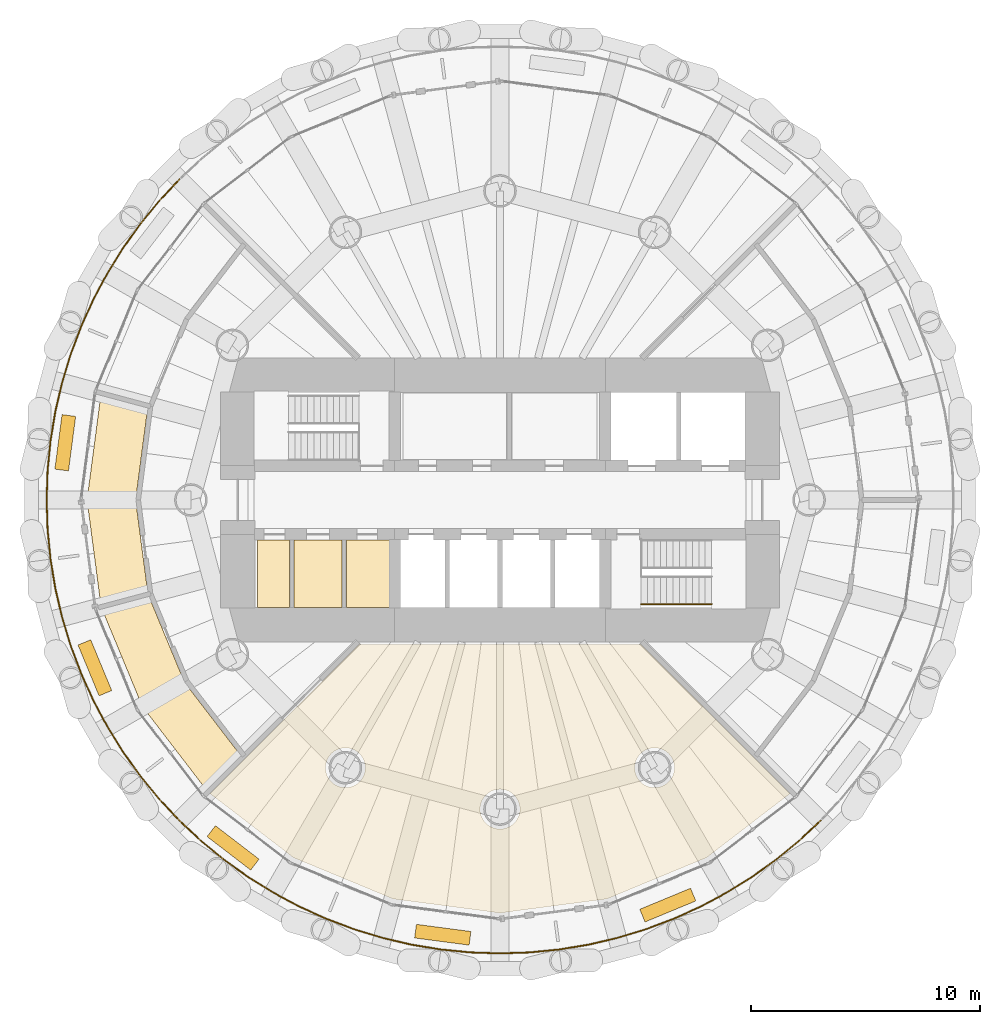
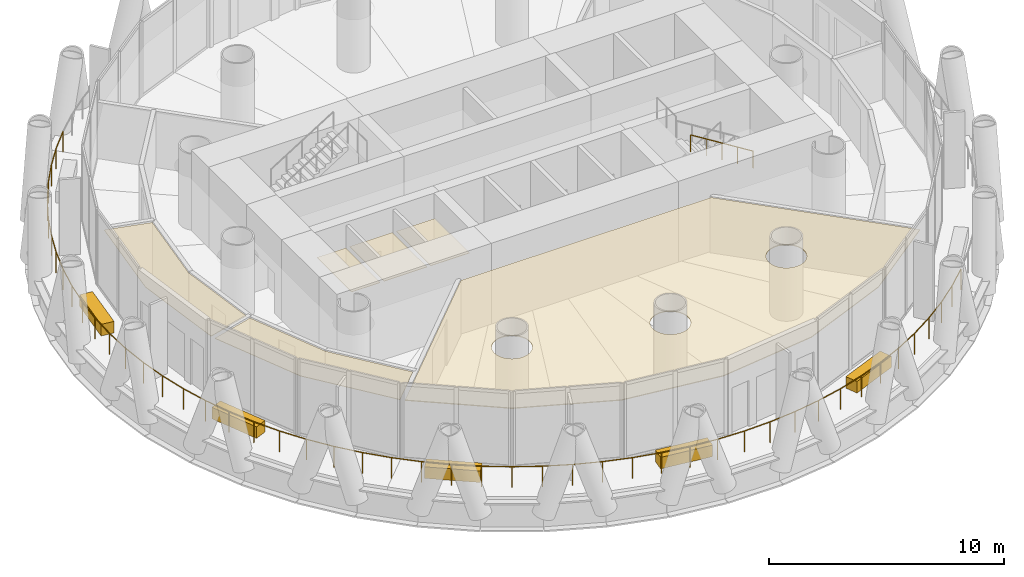
# One storey, part 11 of 13: 11 coverings, 3 railings.
"""IFC4 building model written with IfcOpenShell, lengths in metres."""

from ifc_helpers import new_model, si_unit, direction, frame, origin, origin_2d, place, context, subcontext, project, spatial, polyline, rectangle, circle, outline, extrude, material, layer, layer_set, type_object, element, save


model = new_model("IFC4")

# Units and contexts
model_context = context("Model", 3, precision=1e-05, world=origin(), true_north=direction((0.0, 1.0)))
body_context = subcontext(model_context, "Body", "Model", "MODEL_VIEW")
ifc_project = project(units=[si_unit("LENGTHUNIT", "METRE"), si_unit("AREAUNIT", "SQUARE_METRE"), si_unit("VOLUMEUNIT", "CUBIC_METRE"), si_unit("PLANEANGLEUNIT", "RADIAN"), si_unit("MASSUNIT", "GRAM", prefix="KILO")], contexts=[model_context])

# Site, building, storey
site_placement = place(None, origin())
site = spatial("IfcSite", under=ifc_project, at=site_placement, CompositionType="ELEMENT")
building_placement = place(site_placement, origin())
building = spatial("IfcBuilding", under=site, at=building_placement, Name="Qaws Media Tower", CompositionType="ELEMENT")
storey_placement = place(building_placement, frame((0.0, 0.0, 282.199951171875)))
storey = spatial("IfcBuildingStorey", under=building, at=storey_placement, Name="L65", CompositionType="ELEMENT", Elevation=282.199951171875)

# Covering
ifc_material_1 = material(Name="40 perforated acoustic panels with mineral wool backing, suspended", Category="mineral fibre")
ifc_layer_1 = layer(ifc_material_1, 0.0400390625)
ifc_layer_set_1 = layer_set([ifc_layer_1], Name="Acoustic panel ceiling 40")
covering_type_1 = type_object("IfcCoveringType", Name="Acoustic panel ceiling 40", PredefinedType="CEILING", material=ifc_layer_set_1)
covering_1_placement = place(storey_placement, frame((0.0, 0.0, 2.85009765625)))
element("IfcCovering", 1, at=covering_1_placement, inside=storey, type_object=covering_type_1, Name="CL3 ceiling L65-07 Private dining room", PredefinedType="CEILING", context=body_context, shape_type="SweptSolid", body=[
    extrude(outline(polyline([(69.017578125, 34.381103515625), (64.66796875, 32.579345703125), (60.0, 31.96484375), (55.33203125, 32.579345703125), (50.982421875, 34.381103515625), (47.337158203125, 37.177978515625), (53.8466796875, 43.6875), (66.1533203125, 43.6875), (72.662841796875, 37.177978515625), (69.017578125, 34.381103515625)]), holes=[polyline([(54.09130859375, 38.083251953125), (54.113525390625, 38.195068359375), (54.12109375, 38.30859375), (54.113525390625, 38.42236328125), (54.09130859375, 38.5341796875), (54.0546875, 38.64208984375), (54.00439453125, 38.744140625), (53.94091796875, 38.8388671875), (53.865966796875, 38.924560546875), (53.7802734375, 38.999755859375), (53.685546875, 39.06298828125), (53.583251953125, 39.11328125), (53.475341796875, 39.14990234375), (53.36376953125, 39.172119140625), (53.25, 39.1796875), (53.13623046875, 39.172119140625), (53.024658203125, 39.14990234375), (52.916748046875, 39.11328125), (52.814453125, 39.06298828125), (52.7197265625, 38.999755859375), (52.634033203125, 38.924560546875), (52.55908203125, 38.8388671875), (52.49560546875, 38.744140625), (52.4453125, 38.64208984375), (52.40869140625, 38.5341796875), (52.386474609375, 38.42236328125), (52.37890625, 38.30859375), (52.386474609375, 38.195068359375), (52.40869140625, 38.083251953125), (52.4453125, 37.975341796875), (52.49560546875, 37.873291015625), (52.55908203125, 37.7783203125), (52.634033203125, 37.69287109375), (52.7197265625, 37.61767578125), (52.814453125, 37.55419921875), (52.916748046875, 37.50390625), (53.024658203125, 37.46728515625), (53.13623046875, 37.445068359375), (53.25, 37.437744140625), (53.36376953125, 37.445068359375), (53.475341796875, 37.46728515625), (53.583251953125, 37.50390625), (53.685546875, 37.55419921875), (53.7802734375, 37.61767578125), (53.865966796875, 37.69287109375), (53.94091796875, 37.7783203125), (54.00439453125, 37.873291015625), (54.0546875, 37.975341796875), (54.09130859375, 38.083251953125)]), polyline([(60.84130859375, 36.274658203125), (60.863525390625, 36.38623046875), (60.87109375, 36.5), (60.863525390625, 36.61376953125), (60.84130859375, 36.725341796875), (60.8046875, 36.833251953125), (60.75439453125, 36.935546875), (60.69091796875, 37.0302734375), (60.615966796875, 37.115966796875), (60.5302734375, 37.19091796875), (60.435546875, 37.25439453125), (60.333251953125, 37.3046875), (60.225341796875, 37.34130859375), (60.11376953125, 37.363525390625), (60.0, 37.37109375), (59.88623046875, 37.363525390625), (59.774658203125, 37.34130859375), (59.666748046875, 37.3046875), (59.564453125, 37.25439453125), (59.4697265625, 37.19091796875), (59.384033203125, 37.115966796875), (59.30908203125, 37.0302734375), (59.24560546875, 36.935546875), (59.1953125, 36.833251953125), (59.15869140625, 36.725341796875), (59.136474609375, 36.61376953125), (59.12890625, 36.5), (59.136474609375, 36.38623046875), (59.15869140625, 36.274658203125), (59.1953125, 36.166748046875), (59.24560546875, 36.064453125), (59.30908203125, 35.9697265625), (59.384033203125, 35.884033203125), (59.4697265625, 35.80908203125), (59.564453125, 35.74560546875), (59.666748046875, 35.6953125), (59.774658203125, 35.65869140625), (59.88623046875, 35.636474609375), (60.0, 35.62890625), (60.11376953125, 35.636474609375), (60.225341796875, 35.65869140625), (60.333251953125, 35.6953125), (60.435546875, 35.74560546875), (60.5302734375, 35.80908203125), (60.615966796875, 35.884033203125), (60.69091796875, 35.9697265625), (60.75439453125, 36.064453125), (60.8046875, 36.166748046875), (60.84130859375, 36.274658203125)]), polyline([(67.5546875, 37.975341796875), (67.59130859375, 38.083251953125), (67.613525390625, 38.195068359375), (67.62109375, 38.30859375), (67.613525390625, 38.42236328125), (67.59130859375, 38.5341796875), (67.5546875, 38.64208984375), (67.50439453125, 38.744140625), (67.44091796875, 38.8388671875), (67.365966796875, 38.924560546875), (67.2802734375, 38.999755859375), (67.185546875, 39.06298828125), (67.083251953125, 39.11328125), (66.975341796875, 39.14990234375), (66.86376953125, 39.172119140625), (66.75, 39.1796875), (66.63623046875, 39.172119140625), (66.524658203125, 39.14990234375), (66.416748046875, 39.11328125), (66.314453125, 39.06298828125), (66.2197265625, 38.999755859375), (66.134033203125, 38.924560546875), (66.05908203125, 38.8388671875), (65.99560546875, 38.744140625), (65.9453125, 38.64208984375), (65.90869140625, 38.5341796875), (65.886474609375, 38.42236328125), (65.87890625, 38.30859375), (65.886474609375, 38.195068359375), (65.90869140625, 38.083251953125), (65.9453125, 37.975341796875), (65.99560546875, 37.873291015625), (66.05908203125, 37.7783203125), (66.134033203125, 37.69287109375), (66.2197265625, 37.61767578125), (66.314453125, 37.55419921875), (66.416748046875, 37.50390625), (66.524658203125, 37.46728515625), (66.63623046875, 37.445068359375), (66.75, 37.437744140625), (66.86376953125, 37.445068359375), (66.975341796875, 37.46728515625), (67.083251953125, 37.50390625), (67.185546875, 37.55419921875), (67.2802734375, 37.61767578125), (67.365966796875, 37.69287109375), (67.44091796875, 37.7783203125), (67.50439453125, 37.873291015625), (67.5546875, 37.975341796875)])]), origin(), (0.0, 0.0, 1.0), 0.0400390625),
])

# Railings
ifc_material_2 = material(Name="Stainless steel and glass guard", Category="steel")
railing_type_1 = type_object("IfcRailingType", Name="Balcony guard 1100", PredefinedType="GUARDRAIL", material=ifc_material_2)
railing_1_placement = place(storey_placement, frame((45.999267578125, 64.000732421875, 0.0)))
element("IfcRailing", 2, at=railing_1_placement, inside=storey, type_object=railing_type_1, Name="GR1 balcony guard L65-2", PredefinedType="GUARDRAIL", context=body_context, shape_type="SweptSolid", body=[
    extrude(circle(Radius=0.02392578125, at=origin_2d()), frame((0.0, 0.0, 1.076171875), z_axis=(-0.683552460166, -0.729901386627, 0.0), x_axis=(0.729901386627, -0.683552460166, 0.0)), (0.0, 0.0, 1.0), 1.2958984375),
    extrude(circle(Radius=0.02392578125, at=origin_2d()), frame((-0.8857421875, -0.94580078125, 1.076171875), z_axis=(-0.634458093328, -0.77295726131, 0.0), x_axis=(0.77295726131, -0.634458093328, 0.0)), (0.0, 0.0, 1.0), 1.295654296875),
    extrude(circle(Radius=0.02392578125, at=origin_2d()), frame((-1.707763671875, -1.947265625, 1.076171875), z_axis=(-0.582431795623, -0.812879574997, 0.0), x_axis=(0.812879574997, -0.582431795623, 0.0)), (0.0, 0.0, 1.0), 1.295654296875),
    extrude(circle(Radius=0.02392578125, at=origin_2d()), frame((-2.46240234375, -3.00048828125, 1.076171875), z_axis=(-0.527981873191, -0.849255639711, 0.0), x_axis=(0.849255639711, -0.527981873191, 0.0)), (0.0, 0.0, 1.0), 1.295654296875),
    extrude(circle(Radius=0.02392578125, at=origin_2d()), frame((-3.146484375, -4.100830078125, 1.076171875), z_axis=(-0.471468241052, -0.881883040816, 0.0), x_axis=(0.881883040816, -0.471468241052, 0.0)), (0.0, 0.0, 1.0), 1.295654296875),
    extrude(circle(Radius=0.02392578125, at=origin_2d()), frame((-3.75732421875, -5.243408203125, 1.076171875), z_axis=(-0.412666865584, -0.910882022025, 0.0), x_axis=(0.910882022025, -0.412666865584, 0.0)), (0.0, 0.0, 1.0), 1.295654296875),
    extrude(circle(Radius=0.02392578125, at=origin_2d()), frame((-4.2919921875, -6.423583984375, 1.076171875), z_axis=(-0.352341407841, -0.935871536227, 0.0), x_axis=(0.935871536227, -0.352341407841, 0.0)), (0.0, 0.0, 1.0), 1.295654296875),
    extrude(circle(Radius=0.02392578125, at=origin_2d()), frame((-4.74853515625, -7.63623046875, 1.076171875), z_axis=(-0.29016427463, -0.956976851198, 0.0), x_axis=(0.956976851198, -0.29016427463, 0.0)), (0.0, 0.0, 1.0), 1.295654296875),
    extrude(circle(Radius=0.02392578125, at=origin_2d()), frame((-5.12451171875, -8.876220703125, 1.076171875), z_axis=(-0.227074727453, -0.973877337324, 0.0), x_axis=(0.973877337324, -0.227074727453, 0.0)), (0.0, 0.0, 1.0), 1.295654296875),
    extrude(circle(Radius=0.02392578125, at=origin_2d()), frame((-5.418701171875, -10.137939453125, 1.076171875), z_axis=(-0.162993223464, -0.986627188509, 0.0), x_axis=(0.986627188509, -0.162993223464, 0.0)), (0.0, 0.0, 1.0), 1.295654296875),
    extrude(circle(Radius=0.02392578125, at=origin_2d()), frame((-5.6298828125, -11.416259765625, 1.076171875), z_axis=(-0.097973924779, -0.995188982085, 0.0), x_axis=(0.995188982085, -0.097973924779, 0.0)), (0.0, 0.0, 1.0), 1.2958984375),
    extrude(circle(Radius=0.02392578125, at=origin_2d()), frame((-5.7568359375, -12.705810546875, 1.076171875), z_axis=(-0.03278779156, -0.999462335821, 0.0), x_axis=(0.999462335821, -0.03278779156, 0.0)), (0.0, 0.0, 1.0), 1.295654296875),
    extrude(circle(Radius=0.02392578125, at=origin_2d()), frame((-5.79931640625, -14.000732421875, 1.076171875), z_axis=(0.03278779156, -0.999462335821, 0.0), x_axis=(0.999462335821, 0.03278779156, 0.0)), (0.0, 0.0, 1.0), 1.295654296875),
    extrude(circle(Radius=0.02392578125, at=origin_2d()), frame((-5.7568359375, -15.295654296875, 1.076171875), z_axis=(0.097973924779, -0.995188982085, 0.0), x_axis=(0.995188982085, 0.097973924779, 0.0)), (0.0, 0.0, 1.0), 1.2958984375),
    extrude(circle(Radius=0.02392578125, at=origin_2d()), frame((-5.6298828125, -16.585205078125, 1.076171875), z_axis=(0.162993223464, -0.986627188509, 0.0), x_axis=(0.986627188509, 0.162993223464, 0.0)), (0.0, 0.0, 1.0), 1.295654296875),
    extrude(circle(Radius=0.02392578125, at=origin_2d()), frame((-5.418701171875, -17.863525390625, 1.076171875), z_axis=(0.227074727453, -0.973877337324, 0.0), x_axis=(0.973877337324, 0.227074727453, 0.0)), (0.0, 0.0, 1.0), 1.295654296875),
    extrude(circle(Radius=0.02392578125, at=origin_2d()), frame((-5.12451171875, -19.125244140625, 1.076171875), z_axis=(0.29016427463, -0.956976851198, 0.0), x_axis=(0.956976851198, 0.29016427463, 0.0)), (0.0, 0.0, 1.0), 1.295654296875),
    extrude(circle(Radius=0.02392578125, at=origin_2d()), frame((-4.74853515625, -20.365234375, 1.076171875), z_axis=(0.352341407841, -0.935871536227, 0.0), x_axis=(0.935871536227, 0.352341407841, 0.0)), (0.0, 0.0, 1.0), 1.295654296875),
    extrude(circle(Radius=0.02392578125, at=origin_2d()), frame((-4.2919921875, -21.577880859375, 1.076171875), z_axis=(0.412666865584, -0.910882022025, 0.0), x_axis=(0.910882022025, 0.412666865584, 0.0)), (0.0, 0.0, 1.0), 1.295654296875),
    extrude(circle(Radius=0.02392578125, at=origin_2d()), frame((-3.75732421875, -22.758056640625, 1.076171875), z_axis=(0.471468241052, -0.881883040816, 0.0), x_axis=(0.881883040816, 0.471468241052, 0.0)), (0.0, 0.0, 1.0), 1.295654296875),
    extrude(circle(Radius=0.02392578125, at=origin_2d()), frame((-3.146484375, -23.900634765625, 1.076171875), z_axis=(0.527981873191, -0.849255639711, 0.0), x_axis=(0.849255639711, 0.527981873191, 0.0)), (0.0, 0.0, 1.0), 1.295654296875),
    extrude(circle(Radius=0.02392578125, at=origin_2d()), frame((-2.46240234375, -25.0009765625, 1.076171875), z_axis=(0.582431795623, -0.812879574997, 0.0), x_axis=(0.812879574997, 0.582431795623, 0.0)), (0.0, 0.0, 1.0), 1.295654296875),
    extrude(circle(Radius=0.02392578125, at=origin_2d()), frame((-1.707763671875, -26.05419921875, 1.076171875), z_axis=(0.634458093328, -0.77295726131, 0.0), x_axis=(0.77295726131, 0.634458093328, 0.0)), (0.0, 0.0, 1.0), 1.295654296875),
    extrude(circle(Radius=0.02392578125, at=origin_2d()), frame((-0.8857421875, -27.0556640625, 1.076171875), z_axis=(0.683552460166, -0.729901386627, 0.0), x_axis=(0.729901386627, 0.683552460166, 0.0)), (0.0, 0.0, 1.0), 1.2958984375),
    extrude(circle(Radius=0.02099609375, at=origin_2d()), origin(), (0.0, 0.0, 1.0), 1.052001953125),
    extrude(circle(Radius=0.02099609375, at=origin_2d()), frame((-0.8857421875, -0.94580078125, 0.0)), (0.0, 0.0, 1.0), 1.052001953125),
    extrude(circle(Radius=0.02099609375, at=origin_2d()), frame((-1.707763671875, -1.947265625, 0.0)), (0.0, 0.0, 1.0), 1.052001953125),
    extrude(circle(Radius=0.02099609375, at=origin_2d()), frame((-2.46240234375, -3.00048828125, 0.0)), (0.0, 0.0, 1.0), 1.052001953125),
    extrude(circle(Radius=0.02099609375, at=origin_2d()), frame((-3.146484375, -4.100830078125, 0.0)), (0.0, 0.0, 1.0), 1.052001953125),
    extrude(circle(Radius=0.02099609375, at=origin_2d()), frame((-3.75732421875, -5.243408203125, 0.0)), (0.0, 0.0, 1.0), 1.052001953125),
    extrude(circle(Radius=0.02099609375, at=origin_2d()), frame((-4.2919921875, -6.423583984375, 0.0)), (0.0, 0.0, 1.0), 1.052001953125),
    extrude(circle(Radius=0.02099609375, at=origin_2d()), frame((-4.74853515625, -7.63623046875, 0.0)), (0.0, 0.0, 1.0), 1.052001953125),
    extrude(circle(Radius=0.02099609375, at=origin_2d()), frame((-5.12451171875, -8.876220703125, 0.0)), (0.0, 0.0, 1.0), 1.052001953125),
    extrude(circle(Radius=0.02099609375, at=origin_2d()), frame((-5.418701171875, -10.137939453125, 0.0)), (0.0, 0.0, 1.0), 1.052001953125),
    extrude(circle(Radius=0.02099609375, at=origin_2d()), frame((-5.6298828125, -11.416259765625, 0.0)), (0.0, 0.0, 1.0), 1.052001953125),
    extrude(circle(Radius=0.02099609375, at=origin_2d()), frame((-5.7568359375, -12.705810546875, 0.0)), (0.0, 0.0, 1.0), 1.052001953125),
    extrude(circle(Radius=0.02099609375, at=origin_2d()), frame((-5.79931640625, -14.000732421875, 0.0)), (0.0, 0.0, 1.0), 1.052001953125),
    extrude(circle(Radius=0.02099609375, at=origin_2d()), frame((-5.7568359375, -15.295654296875, 0.0)), (0.0, 0.0, 1.0), 1.052001953125),
    extrude(circle(Radius=0.02099609375, at=origin_2d()), frame((-5.6298828125, -16.585205078125, 0.0)), (0.0, 0.0, 1.0), 1.052001953125),
    extrude(circle(Radius=0.02099609375, at=origin_2d()), frame((-5.418701171875, -17.863525390625, 0.0)), (0.0, 0.0, 1.0), 1.052001953125),
    extrude(circle(Radius=0.02099609375, at=origin_2d()), frame((-5.12451171875, -19.125244140625, 0.0)), (0.0, 0.0, 1.0), 1.052001953125),
    extrude(circle(Radius=0.02099609375, at=origin_2d()), frame((-4.74853515625, -20.365234375, 0.0)), (0.0, 0.0, 1.0), 1.052001953125),
    extrude(circle(Radius=0.02099609375, at=origin_2d()), frame((-4.2919921875, -21.577880859375, 0.0)), (0.0, 0.0, 1.0), 1.052001953125),
    extrude(circle(Radius=0.02099609375, at=origin_2d()), frame((-3.75732421875, -22.758056640625, 0.0)), (0.0, 0.0, 1.0), 1.052001953125),
    extrude(circle(Radius=0.02099609375, at=origin_2d()), frame((-3.146484375, -23.900634765625, 0.0)), (0.0, 0.0, 1.0), 1.052001953125),
    extrude(circle(Radius=0.02099609375, at=origin_2d()), frame((-2.46240234375, -25.0009765625, 0.0)), (0.0, 0.0, 1.0), 1.052001953125),
    extrude(circle(Radius=0.02099609375, at=origin_2d()), frame((-1.707763671875, -26.05419921875, 0.0)), (0.0, 0.0, 1.0), 1.052001953125),
    extrude(circle(Radius=0.02099609375, at=origin_2d()), frame((-0.8857421875, -27.0556640625, 0.0)), (0.0, 0.0, 1.0), 1.052001953125),
    extrude(circle(Radius=0.02099609375, at=origin_2d()), frame((0.0, -28.00146484375, 0.0)), (0.0, 0.0, 1.0), 1.052001953125),
])
railing_2_placement = place(storey_placement, frame((45.999267578125, 35.999267578125, 0.0)))
element("IfcRailing", 3, at=railing_2_placement, inside=storey, type_object=railing_type_1, Name="GR1 balcony guard L65-3", PredefinedType="GUARDRAIL", context=body_context, shape_type="SweptSolid", body=[
    extrude(circle(Radius=0.02392578125, at=origin_2d()), frame((0.0, 0.0, 1.076171875), z_axis=(0.729901386627, -0.683552460166, 0.0), x_axis=(0.683552460166, 0.729901386627, 0.0)), (0.0, 0.0, 1.0), 1.2958984375),
    extrude(circle(Radius=0.02392578125, at=origin_2d()), frame((0.94580078125, -0.8857421875, 1.076171875), z_axis=(0.77295726131, -0.634458093328, 0.0), x_axis=(0.634458093328, 0.77295726131, 0.0)), (0.0, 0.0, 1.0), 1.295654296875),
    extrude(circle(Radius=0.02392578125, at=origin_2d()), frame((1.947265625, -1.707763671875, 1.076171875), z_axis=(0.812879574997, -0.582431795623, 0.0), x_axis=(0.582431795623, 0.812879574997, 0.0)), (0.0, 0.0, 1.0), 1.295654296875),
    extrude(circle(Radius=0.02392578125, at=origin_2d()), frame((3.00048828125, -2.46240234375, 1.076171875), z_axis=(0.849255639711, -0.527981873191, 0.0), x_axis=(0.527981873191, 0.849255639711, 0.0)), (0.0, 0.0, 1.0), 1.295654296875),
    extrude(circle(Radius=0.02392578125, at=origin_2d()), frame((4.100830078125, -3.146484375, 1.076171875), z_axis=(0.881883040816, -0.471468241052, 0.0), x_axis=(0.471468241052, 0.881883040816, 0.0)), (0.0, 0.0, 1.0), 1.295654296875),
    extrude(circle(Radius=0.02392578125, at=origin_2d()), frame((5.243408203125, -3.75732421875, 1.076171875), z_axis=(0.910882022025, -0.412666865584, 0.0), x_axis=(0.412666865584, 0.910882022025, 0.0)), (0.0, 0.0, 1.0), 1.295654296875),
    extrude(circle(Radius=0.02392578125, at=origin_2d()), frame((6.423583984375, -4.2919921875, 1.076171875), z_axis=(0.935871536227, -0.352341407841, 0.0), x_axis=(0.352341407841, 0.935871536227, 0.0)), (0.0, 0.0, 1.0), 1.295654296875),
    extrude(circle(Radius=0.02392578125, at=origin_2d()), frame((7.63623046875, -4.74853515625, 1.076171875), z_axis=(0.956976851198, -0.29016427463, 0.0), x_axis=(0.29016427463, 0.956976851198, 0.0)), (0.0, 0.0, 1.0), 1.295654296875),
    extrude(circle(Radius=0.02392578125, at=origin_2d()), frame((8.876220703125, -5.12451171875, 1.076171875), z_axis=(0.973877337324, -0.227074727453, 0.0), x_axis=(0.227074727453, 0.973877337324, 0.0)), (0.0, 0.0, 1.0), 1.295654296875),
    extrude(circle(Radius=0.02392578125, at=origin_2d()), frame((10.137939453125, -5.418701171875, 1.076171875), z_axis=(0.986627188509, -0.162993223464, 0.0), x_axis=(0.162993223464, 0.986627188509, 0.0)), (0.0, 0.0, 1.0), 1.295654296875),
    extrude(circle(Radius=0.02392578125, at=origin_2d()), frame((11.416259765625, -5.6298828125, 1.076171875), z_axis=(0.995188982085, -0.097973924779, 0.0), x_axis=(0.097973924779, 0.995188982085, 0.0)), (0.0, 0.0, 1.0), 1.2958984375),
    extrude(circle(Radius=0.02392578125, at=origin_2d()), frame((12.705810546875, -5.7568359375, 1.076171875), z_axis=(0.999462335821, -0.03278779156, 0.0), x_axis=(0.03278779156, 0.999462335821, 0.0)), (0.0, 0.0, 1.0), 1.295654296875),
    extrude(circle(Radius=0.02392578125, at=origin_2d()), frame((14.000732421875, -5.79931640625, 1.076171875), z_axis=(0.999462335821, 0.03278779156, 0.0), x_axis=(-0.03278779156, 0.999462335821, 0.0)), (0.0, 0.0, 1.0), 1.295654296875),
    extrude(circle(Radius=0.02392578125, at=origin_2d()), frame((15.295654296875, -5.7568359375, 1.076171875), z_axis=(0.995188982085, 0.097973924779, 0.0), x_axis=(-0.097973924779, 0.995188982085, 0.0)), (0.0, 0.0, 1.0), 1.2958984375),
    extrude(circle(Radius=0.02392578125, at=origin_2d()), frame((16.585205078125, -5.6298828125, 1.076171875), z_axis=(0.986627188509, 0.162993223464, 0.0), x_axis=(-0.162993223464, 0.986627188509, 0.0)), (0.0, 0.0, 1.0), 1.295654296875),
    extrude(circle(Radius=0.02392578125, at=origin_2d()), frame((17.863525390625, -5.418701171875, 1.076171875), z_axis=(0.973877337324, 0.227074727453, 0.0), x_axis=(-0.227074727453, 0.973877337324, 0.0)), (0.0, 0.0, 1.0), 1.295654296875),
    extrude(circle(Radius=0.02392578125, at=origin_2d()), frame((19.125244140625, -5.12451171875, 1.076171875), z_axis=(0.956976851198, 0.29016427463, 0.0), x_axis=(-0.29016427463, 0.956976851198, 0.0)), (0.0, 0.0, 1.0), 1.295654296875),
    extrude(circle(Radius=0.02392578125, at=origin_2d()), frame((20.365234375, -4.74853515625, 1.076171875), z_axis=(0.935871536227, 0.352341407841, 0.0), x_axis=(-0.352341407841, 0.935871536227, 0.0)), (0.0, 0.0, 1.0), 1.295654296875),
    extrude(circle(Radius=0.02392578125, at=origin_2d()), frame((21.577880859375, -4.2919921875, 1.076171875), z_axis=(0.910882022025, 0.412666865584, 0.0), x_axis=(-0.412666865584, 0.910882022025, 0.0)), (0.0, 0.0, 1.0), 1.295654296875),
    extrude(circle(Radius=0.02392578125, at=origin_2d()), frame((22.758056640625, -3.75732421875, 1.076171875), z_axis=(0.881883040816, 0.471468241052, 0.0), x_axis=(-0.471468241052, 0.881883040816, 0.0)), (0.0, 0.0, 1.0), 1.295654296875),
    extrude(circle(Radius=0.02392578125, at=origin_2d()), frame((23.900634765625, -3.146484375, 1.076171875), z_axis=(0.849255639711, 0.527981873191, 0.0), x_axis=(-0.527981873191, 0.849255639711, 0.0)), (0.0, 0.0, 1.0), 1.295654296875),
    extrude(circle(Radius=0.02392578125, at=origin_2d()), frame((25.0009765625, -2.46240234375, 1.076171875), z_axis=(0.812879574997, 0.582431795623, 0.0), x_axis=(-0.582431795623, 0.812879574997, 0.0)), (0.0, 0.0, 1.0), 1.295654296875),
    extrude(circle(Radius=0.02392578125, at=origin_2d()), frame((26.05419921875, -1.707763671875, 1.076171875), z_axis=(0.77295726131, 0.634458093328, 0.0), x_axis=(-0.634458093328, 0.77295726131, 0.0)), (0.0, 0.0, 1.0), 1.295654296875),
    extrude(circle(Radius=0.02392578125, at=origin_2d()), frame((27.0556640625, -0.8857421875, 1.076171875), z_axis=(0.729901386627, 0.683552460166, 0.0), x_axis=(-0.683552460166, 0.729901386627, 0.0)), (0.0, 0.0, 1.0), 1.2958984375),
    extrude(circle(Radius=0.02099609375, at=origin_2d()), origin(), (0.0, 0.0, 1.0), 1.052001953125),
    extrude(circle(Radius=0.02099609375, at=origin_2d()), frame((0.94580078125, -0.8857421875, 0.0)), (0.0, 0.0, 1.0), 1.052001953125),
    extrude(circle(Radius=0.02099609375, at=origin_2d()), frame((1.947265625, -1.707763671875, 0.0)), (0.0, 0.0, 1.0), 1.052001953125),
    extrude(circle(Radius=0.02099609375, at=origin_2d()), frame((3.00048828125, -2.46240234375, 0.0)), (0.0, 0.0, 1.0), 1.052001953125),
    extrude(circle(Radius=0.02099609375, at=origin_2d()), frame((4.100830078125, -3.146484375, 0.0)), (0.0, 0.0, 1.0), 1.052001953125),
    extrude(circle(Radius=0.02099609375, at=origin_2d()), frame((5.243408203125, -3.75732421875, 0.0)), (0.0, 0.0, 1.0), 1.052001953125),
    extrude(circle(Radius=0.02099609375, at=origin_2d()), frame((6.423583984375, -4.2919921875, 0.0)), (0.0, 0.0, 1.0), 1.052001953125),
    extrude(circle(Radius=0.02099609375, at=origin_2d()), frame((7.63623046875, -4.74853515625, 0.0)), (0.0, 0.0, 1.0), 1.052001953125),
    extrude(circle(Radius=0.02099609375, at=origin_2d()), frame((8.876220703125, -5.12451171875, 0.0)), (0.0, 0.0, 1.0), 1.052001953125),
    extrude(circle(Radius=0.02099609375, at=origin_2d()), frame((10.137939453125, -5.418701171875, 0.0)), (0.0, 0.0, 1.0), 1.052001953125),
    extrude(circle(Radius=0.02099609375, at=origin_2d()), frame((11.416259765625, -5.6298828125, 0.0)), (0.0, 0.0, 1.0), 1.052001953125),
    extrude(circle(Radius=0.02099609375, at=origin_2d()), frame((12.705810546875, -5.7568359375, 0.0)), (0.0, 0.0, 1.0), 1.052001953125),
    extrude(circle(Radius=0.02099609375, at=origin_2d()), frame((14.000732421875, -5.79931640625, 0.0)), (0.0, 0.0, 1.0), 1.052001953125),
    extrude(circle(Radius=0.02099609375, at=origin_2d()), frame((15.295654296875, -5.7568359375, 0.0)), (0.0, 0.0, 1.0), 1.052001953125),
    extrude(circle(Radius=0.02099609375, at=origin_2d()), frame((16.585205078125, -5.6298828125, 0.0)), (0.0, 0.0, 1.0), 1.052001953125),
    extrude(circle(Radius=0.02099609375, at=origin_2d()), frame((17.863525390625, -5.418701171875, 0.0)), (0.0, 0.0, 1.0), 1.052001953125),
    extrude(circle(Radius=0.02099609375, at=origin_2d()), frame((19.125244140625, -5.12451171875, 0.0)), (0.0, 0.0, 1.0), 1.052001953125),
    extrude(circle(Radius=0.02099609375, at=origin_2d()), frame((20.365234375, -4.74853515625, 0.0)), (0.0, 0.0, 1.0), 1.052001953125),
    extrude(circle(Radius=0.02099609375, at=origin_2d()), frame((21.577880859375, -4.2919921875, 0.0)), (0.0, 0.0, 1.0), 1.052001953125),
    extrude(circle(Radius=0.02099609375, at=origin_2d()), frame((22.758056640625, -3.75732421875, 0.0)), (0.0, 0.0, 1.0), 1.052001953125),
    extrude(circle(Radius=0.02099609375, at=origin_2d()), frame((23.900634765625, -3.146484375, 0.0)), (0.0, 0.0, 1.0), 1.052001953125),
    extrude(circle(Radius=0.02099609375, at=origin_2d()), frame((25.0009765625, -2.46240234375, 0.0)), (0.0, 0.0, 1.0), 1.052001953125),
    extrude(circle(Radius=0.02099609375, at=origin_2d()), frame((26.05419921875, -1.707763671875, 0.0)), (0.0, 0.0, 1.0), 1.052001953125),
    extrude(circle(Radius=0.02099609375, at=origin_2d()), frame((27.0556640625, -0.8857421875, 0.0)), (0.0, 0.0, 1.0), 1.052001953125),
    extrude(circle(Radius=0.02099609375, at=origin_2d()), frame((28.00146484375, 0.0, 0.0)), (0.0, 0.0, 1.0), 1.052001953125),
])

# Coverings
ifc_material_3 = material(Name="600 x 600 mineral fibre tiles in exposed grid, suspended", Category="mineral fibre")
ifc_layer_2 = layer(ifc_material_3, 0.02001953125)
ifc_layer_set_2 = layer_set([ifc_layer_2], Name="Mineral fibre tile ceiling 20")
covering_type_2 = type_object("IfcCoveringType", Name="Mineral fibre tile ceiling 20", PredefinedType="CEILING", material=ifc_layer_set_2)
covering_2_placement = place(storey_placement, frame((0.0, 0.0, 2.85009765625)))
element("IfcCovering", 4, at=covering_2_placement, inside=storey, type_object=covering_type_2, Name="CL1 ceiling L65-C04 Cleaner's room", PredefinedType="CEILING", context=body_context, shape_type="SweptSolid", body=[
    extrude(outline(polyline([(49.39990234375, 45.300048828125), (49.39990234375, 48.25), (50.800048828125, 48.25), (50.800048828125, 45.300048828125), (49.39990234375, 45.300048828125)])), origin(), (0.0, 0.0, 1.0), 0.02001953125),
])
covering_3_placement = place(storey_placement, frame((0.0, 0.0, 2.85009765625)))
element("IfcCovering", 5, at=covering_3_placement, inside=storey, type_object=covering_type_2, Name="CL1 ceiling L65-C06 Mothers' room", PredefinedType="CEILING", context=body_context, shape_type="SweptSolid", body=[
    extrude(outline(polyline([(53.300048828125, 45.300048828125), (53.300048828125, 48.25), (55.199951171875, 48.25), (55.199951171875, 45.300048828125), (53.300048828125, 45.300048828125)])), origin(), (0.0, 0.0, 1.0), 0.02001953125),
])
ifc_material_4 = material(Name="Precast concrete planter with trailing planting", Category="concrete")
ifc_layer_3 = layer(ifc_material_4, 0.60009765625)
ifc_layer_set_3 = layer_set([ifc_layer_3], Name="Planter 2400x600")
covering_type_3 = type_object("IfcCoveringType", Name="Planter 2400x600", PredefinedType="USERDEFINED", material=ifc_layer_set_3)
for number, where, z_axis, x_axis, name in (
    (6, (41.013916015625, 52.49951171875, 0.0), (0.0, 0.0, 1.0), (-0.13052619222, -0.991444861374, 0.0), "PL1 balcony planter L65-06"),
    (7, (42.3076171875, 42.671630859375, 0.0), (0.0, 0.0, 1.0), (0.382683432365, -0.923879532511, 0.0), "PL1 balcony planter L65-07"),
    (8, (48.34228515625, 34.807373046875, 0.0), (0.0, 0.0, 1.0), (0.793353340291, -0.608761429009, 0.0), "PL1 balcony planter L65-08"),
    (9, (57.50048828125, 31.013916015625, 0.0), (0.0, 0.0, 1.0), (0.991444861374, -0.13052619222, 0.0), "PL1 balcony planter L65-09"),
    (10, (67.328369140625, 32.3076171875, 0.0), (0.0, 0.0, 1.0), (0.923879532511, 0.382683432365, 0.0), "PL1 balcony planter L65-10"),
):
    element("IfcCovering", number, at=place(storey_placement, frame(where, z_axis=z_axis, x_axis=x_axis)), inside=storey, type_object=covering_type_3, Name=name, ObjectType="PLANTER", PredefinedType="USERDEFINED", context=body_context, shape_type="SweptSolid", body=[
        extrude(rectangle(XDim=2.39990234375, YDim=0.60009765625, at=origin_2d()), origin(), (0.0, 0.0, 1.0), 0.60009765625),
    ])
ifc_material_5 = material(Name="Two layers 12.5 moisture-resistant plasterboard on suspended metal furring", Category="gypsum")
ifc_layer_4 = layer(ifc_material_5, 0.02490234375)
ifc_layer_set_4 = layer_set([ifc_layer_4], Name="Plasterboard ceiling 25")
covering_type_4 = type_object("IfcCoveringType", Name="Plasterboard ceiling 25", PredefinedType="CEILING", material=ifc_layer_set_4)
covering_4_placement = place(storey_placement, frame((0.0, 0.0, 2.85009765625)))
element("IfcCovering", 11, at=covering_4_placement, inside=storey, type_object=covering_type_4, Name="CL2 ceiling L65-05 Servery", PredefinedType="CEILING", context=body_context, shape_type="SweptSolid", body=[
    extrude(outline(polyline([(41.96484375, 50.0), (42.564453125, 54.555419921875), (44.614013671875, 54.006103515625), (44.08642578125, 50.0), (44.614013671875, 45.993896484375), (42.564453125, 45.444580078125), (41.96484375, 50.0)])), origin(), (0.0, 0.0, 1.0), 0.02490234375),
])
covering_5_placement = place(storey_placement, frame((0.0, 0.0, 2.85009765625)))
element("IfcCovering", 12, at=covering_5_placement, inside=storey, type_object=covering_type_4, Name="CL2 ceiling L65-06 Guest office", PredefinedType="CEILING", context=body_context, shape_type="SweptSolid", body=[
    extrude(outline(polyline([(46.218505859375, 42.043212890625), (48.678466796875, 38.83740234375), (47.177978515625, 37.337158203125), (44.381103515625, 40.982421875), (42.622802734375, 45.227294921875), (44.672119140625, 45.776611328125), (46.218505859375, 42.043212890625)])), origin(), (0.0, 0.0, 1.0), 0.02490234375),
])
covering_6_placement = place(storey_placement, frame((0.0, 0.0, 2.85009765625)))
element("IfcCovering", 13, at=covering_6_placement, inside=storey, type_object=covering_type_4, Name="CL2 ceiling L65-C05 Accessible WC", PredefinedType="CEILING", context=body_context, shape_type="SweptSolid", body=[
    extrude(outline(polyline([(51.0, 45.300048828125), (51.0, 48.25), (53.10009765625, 48.25), (53.10009765625, 45.300048828125), (51.0, 45.300048828125)])), origin(), (0.0, 0.0, 1.0), 0.02490234375),
])

# Railing
ifc_material_6 = material(Name="Steel tube handrail", Category="steel")
railing_type_2 = type_object("IfcRailingType", Name="Stair handrail 900", PredefinedType="HANDRAIL", material=ifc_material_6)
railing_3_placement = place(storey_placement, frame((69.239990234375, 45.449951171875, 2.275146484375)))
element("IfcRailing", 14, at=railing_3_placement, inside=storey, type_object=railing_type_2, Name="HR1 handrail S2 flight 2 L65", PredefinedType="HANDRAIL", context=body_context, shape_type="SweptSolid", body=[
    extrude(circle(Radius=0.02392578125, at=origin_2d()), frame((0.0, 0.0, 0.8759765625), z_axis=(-0.848028513186, 0.0, 0.529950602248), x_axis=(0.0, -1.0, 0.0)), (0.0, 0.0, 1.0), 3.632080078125),
    extrude(circle(Radius=0.02099609375, at=origin_2d()), origin(), (0.0, 0.0, 1.0), 0.851806640625),
    extrude(circle(Radius=0.02099609375, at=origin_2d()), frame((-0.77001953125, 0.0, 0.481201171875)), (0.0, 0.0, 1.0), 0.851806640625),
    extrude(circle(Radius=0.02099609375, at=origin_2d()), frame((-1.5400390625, 0.0, 0.96240234375)), (0.0, 0.0, 1.0), 0.851806640625),
    extrude(circle(Radius=0.02099609375, at=origin_2d()), frame((-2.31005859375, 0.0, 1.443603515625)), (0.0, 0.0, 1.0), 0.851806640625),
    extrude(circle(Radius=0.02099609375, at=origin_2d()), frame((-3.080078125, 0.0, 1.9248046875)), (0.0, 0.0, 1.0), 0.851806640625),
])

save(model, "model.ifc")
